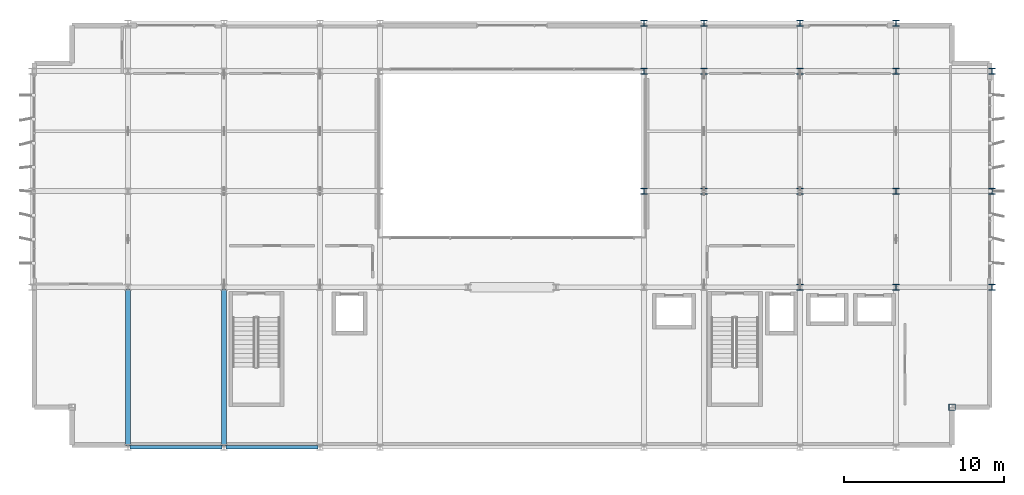
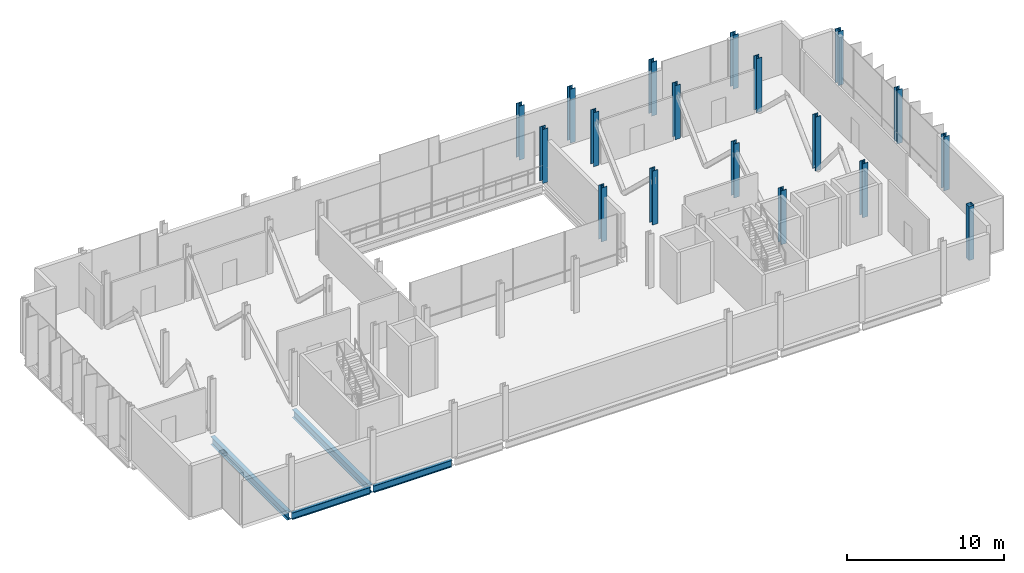
# One storey, part 2 of 33: 18 columns, 4 beams.
"""IFC4 building model written with IfcOpenShell, lengths in metres."""

from ifc_helpers import new_model, si_unit, direction, frame, origin, origin_2d, place, context, subcontext, project, spatial, hollow_rectangle, i_section, extrude, material, material_profile, profile_set, type_object, element, save


model = new_model("IFC4")

# Units and contexts
model_context = context("Model", 3, precision=1e-05, world=origin(), true_north=direction((0.0, 1.0)))
body_context = subcontext(model_context, "Body", "Model", "MODEL_VIEW")
ifc_project = project(units=[si_unit("LENGTHUNIT", "METRE"), si_unit("AREAUNIT", "SQUARE_METRE"), si_unit("VOLUMEUNIT", "CUBIC_METRE"), si_unit("PLANEANGLEUNIT", "RADIAN"), si_unit("MASSUNIT", "GRAM", prefix="KILO")], contexts=[model_context])

# Site, building, storey
site_placement = place(None, origin())
site = spatial("IfcSite", under=ifc_project, at=site_placement, CompositionType="ELEMENT")
building_placement = place(site_placement, origin())
building = spatial("IfcBuilding", under=site, at=building_placement, Name="Brevholm Reach", CompositionType="ELEMENT")
storey_placement = place(building_placement, frame((0.0, 0.0, 179.0)))
storey = spatial("IfcBuildingStorey", under=building, at=storey_placement, Name="L54", CompositionType="ELEMENT", Elevation=179.0)

# Columns
ifc_material_1 = material(Name="Structural Steel S460NH", Category="steel")
ifc_material_profile_1 = material_profile(ifc_material_1, hollow_rectangle(XDim=0.39990234375, YDim=0.39990234375, WallThickness=0.02001953125, InnerFilletRadius=0.011962890625, OuterFilletRadius=0.02392578125, at=origin_2d()), Name="SHS 400x400x20")
ifc_profile_set_1 = profile_set([ifc_material_profile_1], Name="Structural Steel S460NH")
column_type_1 = type_object("IfcColumnType", Name="COL-SHS2", PredefinedType="COLUMN", material=ifc_profile_set_1)
column_placement = place(storey_placement, frame((57.5, 2.5, 0.0), z_axis=(0.0, 0.0, 1.0), x_axis=(1.0, 0.0, 0.0)))
element("IfcColumn", 1, at=column_placement, inside=storey, type_object=column_type_1, Name="L54 Column 47", PredefinedType="COLUMN", context=body_context, shape_type="SweptSolid", body=[
    extrude(hollow_rectangle(XDim=0.39990234375, YDim=0.39990234375, WallThickness=0.02001953125, InnerFilletRadius=0.011962890625, OuterFilletRadius=0.02392578125, at=origin_2d()), origin(), (0.0, 0.0, 1.0), 4.199951171875),
])
ifc_material_2 = material(Name="Structural Steel S355J2", Category="steel")
ifc_material_profile_2 = material_profile(ifc_material_2, i_section(OverallWidth=0.39892578125, OverallDepth=0.3935546875, WebThickness=0.022705078125, FlangeThickness=0.03662109375, FilletRadius=0.01513671875, at=origin_2d()), Name="UKC 356x406x287")
ifc_profile_set_2 = profile_set([ifc_material_profile_2], Name="Structural Steel S355J2")
column_type_2 = type_object("IfcColumnType", Name="COL-UC5B", PredefinedType="COLUMN", material=ifc_profile_set_2)
for number, where, z_axis, x_axis, name in (
    (2, (38.25, 16.0, 0.0), (0.0, 0.0, 1.0), (1.0, 0.0, 0.0), "L54 Column 29"),
    (3, (38.25, 23.5, 0.0), (0.0, 0.0, 1.0), (1.0, 0.0, 0.0), "L54 Column 30"),
    (4, (38.25, 26.5, 0.0), (0.0, 0.0, 1.0), (1.0, 0.0, 0.0), "L54 Column 31"),
    (5, (42.0, 16.0, 0.0), (0.0, 0.0, 1.0), (1.0, 0.0, 0.0), "L54 Column 34"),
    (6, (42.0, 23.5, 0.0), (0.0, 0.0, 1.0), (1.0, 0.0, 0.0), "L54 Column 35"),
    (7, (42.0, 26.5, 0.0), (0.0, 0.0, 1.0), (1.0, 0.0, 0.0), "L54 Column 36"),
    (8, (48.0, 10.0, 0.0), (0.0, 0.0, 1.0), (1.0, 0.0, 0.0), "L54 Column 38"),
    (9, (48.0, 16.0, 0.0), (0.0, 0.0, 1.0), (1.0, 0.0, 0.0), "L54 Column 39"),
    (10, (48.0, 23.5, 0.0), (0.0, 0.0, 1.0), (1.0, 0.0, 0.0), "L54 Column 40"),
    (11, (48.0, 26.5, 0.0), (0.0, 0.0, 1.0), (1.0, 0.0, 0.0), "L54 Column 41"),
    (12, (54.0, 10.0, 0.0), (0.0, 0.0, 1.0), (1.0, 0.0, 0.0), "L54 Column 43"),
    (13, (54.0, 16.0, 0.0), (0.0, 0.0, 1.0), (1.0, 0.0, 0.0), "L54 Column 44"),
    (14, (54.0, 23.5, 0.0), (0.0, 0.0, 1.0), (1.0, 0.0, 0.0), "L54 Column 45"),
    (15, (54.0, 26.5, 0.0), (0.0, 0.0, 1.0), (1.0, 0.0, 0.0), "L54 Column 46"),
    (16, (60.0, 10.0, 0.0), (0.0, 0.0, 1.0), (1.0, 0.0, 0.0), "L54 Column 48"),
    (17, (60.0, 16.0, 0.0), (0.0, 0.0, 1.0), (1.0, 0.0, 0.0), "L54 Column 49"),
    (18, (60.0, 23.5, 0.0), (0.0, 0.0, 1.0), (1.0, 0.0, 0.0), "L54 Column 50"),
):
    element("IfcColumn", number, at=place(storey_placement, frame(where, z_axis=z_axis, x_axis=x_axis)), inside=storey, type_object=column_type_2, Name=name, PredefinedType="COLUMN", context=body_context, shape_type="SweptSolid", body=[
        extrude(i_section(OverallWidth=0.39892578125, OverallDepth=0.3935546875, WebThickness=0.022705078125, FlangeThickness=0.03662109375, FilletRadius=0.01513671875, at=origin_2d()), origin(), (0.0, 0.0, 1.0), 4.199951171875),
    ])

# Beams
ifc_material_3 = material(Name="Structural Steel S355J2", Category="steel")
ifc_material_profile_3 = material_profile(ifc_material_3, i_section(OverallWidth=0.210693359375, OverallDepth=0.53955078125, WebThickness=0.01171875, FlangeThickness=0.018798828125, FilletRadius=0.0126953125, at=origin_2d()), Name="UKB 533x210x109")
ifc_profile_set_3 = profile_set([ifc_material_profile_3], Name="Structural Steel S355J2")
beam_type_1 = type_object("IfcBeamType", Name="BM-SP539", PredefinedType="SPANDREL", material=ifc_profile_set_3)
for number, where, z_axis, x_axis, name in (
    (19, (6.1201171875, 0.0, -0.52978515625), (1.0, 0.0, 0.0), (0.0, 1.0, 0.0), "L54 SP-01B Framing Beam"),
    (20, (12.1201171875, 0.0, -0.52978515625), (1.0, 0.0, 0.0), (0.0, 1.0, 0.0), "L54 SP-01B Framing Beam"),
):
    element("IfcBeam", number, at=place(storey_placement, frame(where, z_axis=z_axis, x_axis=x_axis)), inside=storey, type_object=beam_type_1, Name=name, PredefinedType="SPANDREL", context=body_context, shape_type="SweptSolid", body=[
        extrude(i_section(OverallWidth=0.210693359375, OverallDepth=0.53955078125, WebThickness=0.01171875, FlangeThickness=0.018798828125, FilletRadius=0.0126953125, at=origin_2d()), origin(), (0.0, 0.0, 1.0), 5.759765625),
    ])
ifc_material_4 = material(Name="Structural Steel S355J2", Category="steel")
ifc_material_profile_4 = material_profile(ifc_material_4, i_section(OverallWidth=0.30712890625, OverallDepth=0.6201171875, WebThickness=0.01416015625, FlangeThickness=0.023681640625, FilletRadius=0.0166015625, at=origin_2d()), Name="UKB 610x305x179")
ifc_profile_set_4 = profile_set([ifc_material_profile_4], Name="Structural Steel S355J2")
beam_type_2 = type_object("IfcBeamType", Name="BM-UKB610H", PredefinedType="USERDEFINED", material=ifc_profile_set_4)
for number, where, z_axis, x_axis, name in (
    (21, (6.0, 0.1201171875, -0.570068359375), (0.0, 1.0, 0.0), (-1.0, 0.0, 0.0), "L54 G-06 Framing Beam"),
    (22, (12.0, 0.1201171875, -0.570068359375), (0.0, 1.0, 0.0), (-1.0, 0.0, 0.0), "L54 G-06 Framing Beam"),
):
    element("IfcBeam", number, at=place(storey_placement, frame(where, z_axis=z_axis, x_axis=x_axis)), inside=storey, type_object=beam_type_2, Name=name, ObjectType="GIRDER", PredefinedType="USERDEFINED", context=body_context, shape_type="SweptSolid", body=[
        extrude(i_section(OverallWidth=0.30712890625, OverallDepth=0.6201171875, WebThickness=0.01416015625, FlangeThickness=0.023681640625, FilletRadius=0.0166015625, at=origin_2d()), origin(), (0.0, 0.0, 1.0), 9.759765625),
    ])

save(model, "model.ifc")
